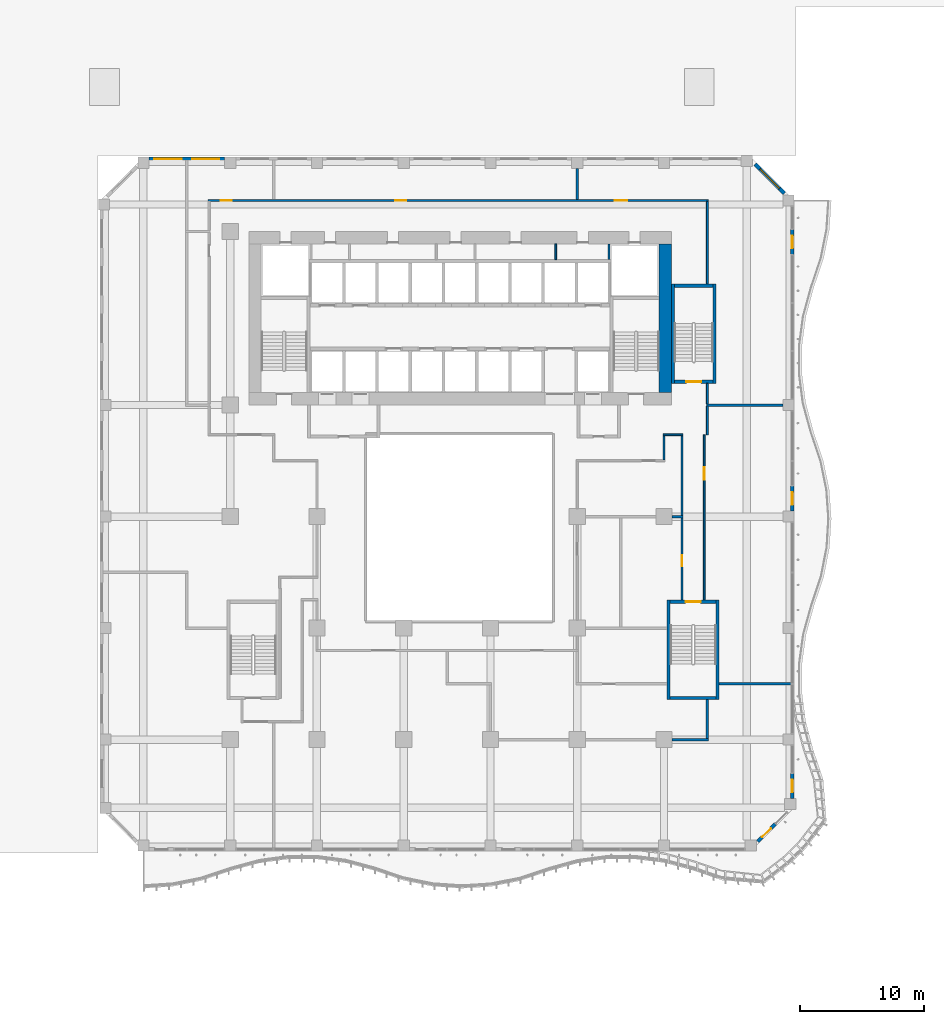
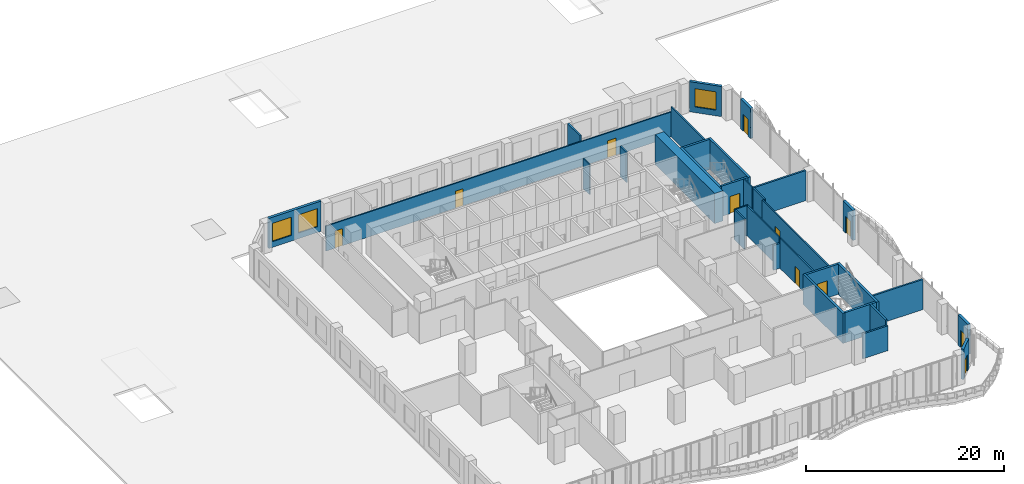
# One storey, part 19 of 29: 32 walls, 11 doors, 3 windows, 14 openings.
"""IFC4 building model written with IfcOpenShell, lengths in metres."""

from ifc_helpers import new_model, si_unit, direction, frame, frame_2d, origin, place, context, subcontext, project, spatial, rectangle, extrude, source, transform, mapped, material, layer, layer_set, type_object, element, fill, save


model = new_model("IFC4")

# Units and contexts
model_context = context("Model", 3, precision=1e-05, world=origin(), true_north=direction((0.0, 1.0)))
body_context = subcontext(model_context, "Body", "Model", "MODEL_VIEW")
ifc_project = project(units=[si_unit("LENGTHUNIT", "METRE"), si_unit("AREAUNIT", "SQUARE_METRE"), si_unit("VOLUMEUNIT", "CUBIC_METRE"), si_unit("PLANEANGLEUNIT", "RADIAN"), si_unit("MASSUNIT", "GRAM", prefix="KILO")], contexts=[model_context])

# Site, building, storey
site_placement = place(None, origin())
site = spatial("IfcSite", under=ifc_project, at=site_placement, CompositionType="ELEMENT")
building_placement = place(site_placement, origin())
building = spatial("IfcBuilding", under=site, at=building_placement, Name="Kilnfold Tower and Market Hall", CompositionType="ELEMENT")
storey_placement = place(building_placement, frame((0.0, 0.0, 27.0)))
storey = spatial("IfcBuildingStorey", under=building, at=storey_placement, Name="L05", CompositionType="ELEMENT", Elevation=27.0)

# Wall, opening, door
ifc_material_1 = material(Name="Gypsum board on steel studs", Category="steel")
ifc_layer_1 = layer(ifc_material_1, 0.14990234375)
ifc_layer_set_1 = layer_set([ifc_layer_1], Name="Gypsum board on steel studs")
wall_type_1 = type_object("IfcWallType", Name="WALL CORRIDOR 150", PredefinedType="PARTITIONING", material=ifc_layer_set_1)
wall_1_placement = place(storey_placement, frame((18.949951171875, -7.75, 0.0), z_axis=(0.0, 0.0, 1.0), x_axis=(0.0, 1.0, 0.0)))
wall_1 = element("IfcWall", 1, at=wall_1_placement, inside=storey, type_object=wall_type_1, Name="Partition LY06.22", PredefinedType="PARTITIONING", context=body_context, shape_type="SweptSolid", body=[
    extrude(rectangle(XDim=6.659912109375, YDim=0.14990234375, at=frame_2d((3.330078125, 0.0))), origin(), (0.0, 0.0, 1.0), 3.719970703125),
])
opening_1_placement = place(wall_1_placement, frame((2.72802734375, 0.0, 0.0)))
opening_1 = element("IfcOpeningElement", 2, at=opening_1_placement, cuts=wall_1, Name="Opening D2", PredefinedType="OPENING", context=body_context, shape_type="SweptSolid", body=[
    extrude(rectangle(XDim=0.89990234375, YDim=2.10009765625, at=frame_2d((0.449951171875, 1.050048828125))), frame((0.0, 0.0849609375, 0.0), z_axis=(0.0, -1.0, 0.0), x_axis=(1.0, 0.0, 0.0)), (0.0, 0.0, 1.0), 0.169921875),
])
ifc_material_2 = material(Name="Timber veneer door leaf in steel frame", Category="steel")
door_type_1 = type_object("IfcDoorType", Name="DOOR ROOM 900 X2100", OperationType="NOTDEFINED", PredefinedType="DOOR", material=ifc_material_2)
door_1_placement = place(opening_1_placement, origin())
door_1 = element("IfcDoor", 3, at=door_1_placement, inside=storey, type_object=door_type_1, Name="Door D2", OperationType="SINGLE_SWING_LEFT", OverallHeight=2.10009765625, OverallWidth=0.89990234375, PredefinedType="DOOR", context=body_context, shape_type="SweptSolid", body=[
    extrude(rectangle(XDim=0.89990234375, YDim=2.10009765625, at=frame_2d((0.449951171875, 1.050048828125))), frame((0.0, 0.02490234375, 0.0), z_axis=(0.0, -1.0, 0.0), x_axis=(1.0, 0.0, 0.0)), (0.0, 0.0, 1.0), 0.050048828125),
])
fill(opening_1, door_1)

# Walls
wall_2_placement = place(storey_placement, frame((18.949951171875, -0.909912109375, 0.0), z_axis=(0.0, 0.0, 1.0), x_axis=(0.0, 1.0, 0.0)))
element("IfcWall", 4, at=wall_2_placement, inside=storey, type_object=wall_type_1, Name="Partition LY06.23", PredefinedType="PARTITIONING", context=body_context, shape_type="SweptSolid", body=[
    extrude(rectangle(XDim=6.434814453125, YDim=0.14990234375, at=frame_2d((3.21728515625, 0.0))), origin(), (0.0, 0.0, 1.0), 3.719970703125),
])
wall_3_placement = place(storey_placement, frame((17.425048828125, 5.60009765625, 0.0), z_axis=(0.0, 0.0, 1.0), x_axis=(1.0, 0.0, 0.0)))
element("IfcWall", 5, at=wall_3_placement, inside=storey, type_object=wall_type_1, Name="Partition LY06.24", PredefinedType="PARTITIONING", context=body_context, shape_type="SweptSolid", body=[
    extrude(rectangle(XDim=1.599853515625, YDim=0.14990234375, at=frame_2d((0.7998046875, 0.0))), origin(), (0.0, 0.0, 1.0), 3.719970703125),
])
wall_4_placement = place(storey_placement, frame((17.5, 3.574951171875, 0.0), z_axis=(0.0, 0.0, 1.0), x_axis=(0.0, 1.0, 0.0)))
element("IfcWall", 6, at=wall_4_placement, inside=storey, type_object=wall_type_1, Name="Partition LY06.25", PredefinedType="PARTITIONING", context=body_context, shape_type="SweptSolid", body=[
    extrude(rectangle(XDim=1.949951171875, YDim=0.14990234375, at=frame_2d((0.97509765625, 0.0))), origin(), (0.0, 0.0, 1.0), 3.719970703125),
])
wall_5_placement = place(storey_placement, frame((21.0, 5.60009765625, 0.0), z_axis=(0.0, 0.0, 1.0), x_axis=(0.0, 1.0, 0.0)))
element("IfcWall", 7, at=wall_5_placement, inside=storey, type_object=wall_type_1, Name="Partition LY06.28", PredefinedType="PARTITIONING", context=body_context, shape_type="SweptSolid", body=[
    extrude(rectangle(XDim=2.309814453125, YDim=0.14990234375, at=frame_2d((1.15478515625, 0.0))), origin(), (0.0, 0.0, 1.0), 3.719970703125),
])

# Wall, opening, door
wall_6_placement = place(storey_placement, frame((20.75, -7.75, 0.0), z_axis=(0.0, 0.0, 1.0), x_axis=(0.0, 1.0, 0.0)))
wall_6 = element("IfcWall", 8, at=wall_6_placement, inside=storey, type_object=wall_type_1, Name="Partition LY06.29", PredefinedType="PARTITIONING", context=body_context, shape_type="SweptSolid", body=[
    extrude(rectangle(XDim=13.35009765625, YDim=0.14990234375, at=frame_2d((6.675048828125, 0.0))), origin(), (0.0, 0.0, 1.0), 3.719970703125),
])
opening_2_placement = place(wall_6_placement, frame((9.739990234375, 0.0, 0.0)))
opening_2 = element("IfcOpeningElement", 9, at=opening_2_placement, cuts=wall_6, Name="Opening D1", PredefinedType="OPENING", context=body_context, shape_type="SweptSolid", body=[
    extrude(rectangle(XDim=1.0, YDim=2.10009765625, at=frame_2d((0.5, 1.050048828125))), frame((0.0, 0.0849609375, 0.0), z_axis=(0.0, -1.0, 0.0), x_axis=(1.0, 0.0, 0.0)), (0.0, 0.0, 1.0), 0.169921875),
])
ifc_material_3 = material(Name="Timber veneer door leaf in steel frame", Category="steel")
door_type_2 = type_object("IfcDoorType", Name="DOOR ENTRY 1000 X2100", OperationType="NOTDEFINED", PredefinedType="DOOR", material=ifc_material_3)
door_2_placement = place(opening_2_placement, origin())
door_2 = element("IfcDoor", 10, at=door_2_placement, inside=storey, type_object=door_type_2, Name="Door D1", OperationType="SINGLE_SWING_RIGHT", OverallHeight=2.10009765625, OverallWidth=1.0, PredefinedType="DOOR", context=body_context, shape_type="SweptSolid", body=[
    extrude(rectangle(XDim=1.0, YDim=2.10009765625, at=frame_2d((0.5, 1.050048828125))), frame((0.0, 0.02490234375, 0.0), z_axis=(0.0, -1.0, 0.0), x_axis=(1.0, 0.0, 0.0)), (0.0, 0.0, 1.0), 0.050048828125),
])
fill(opening_2, door_2)

# Walls
wall_7_placement = place(storey_placement, frame((21.0, 17.75, 0.0), z_axis=(0.0, 0.0, 1.0), x_axis=(0.0, 1.0, 0.0)))
element("IfcWall", 11, at=wall_7_placement, inside=storey, type_object=wall_type_1, Name="Partition LY06.30", PredefinedType="PARTITIONING", context=body_context, shape_type="SweptSolid", body=[
    extrude(rectangle(XDim=6.675048828125, YDim=0.14990234375, at=frame_2d((3.33740234375, 0.0))), origin(), (0.0, 0.0, 1.0), 3.719970703125),
])
wall_8_placement = place(storey_placement, frame((21.0, 8.090087890625, 0.0), z_axis=(0.0, 0.0, 1.0), x_axis=(0.0, 1.0, 0.0)))
element("IfcWall", 12, at=wall_8_placement, inside=storey, type_object=wall_type_1, Name="Partition LY06.31", PredefinedType="PARTITIONING", context=body_context, shape_type="SweptSolid", body=[
    extrude(rectangle(XDim=1.659912109375, YDim=0.14990234375, at=frame_2d((0.830078125, 0.0))), origin(), (0.0, 0.0, 1.0), 3.719970703125),
])

# Wall, openings, doors
wall_9_placement = place(storey_placement, frame((-19.27490234375, 24.5, 0.0), z_axis=(0.0, 0.0, 1.0), x_axis=(1.0, 0.0, 0.0)))
wall_9 = element("IfcWall", 13, at=wall_9_placement, inside=storey, type_object=wall_type_1, Name="Partition LY06.33", PredefinedType="PARTITIONING", context=body_context, shape_type="SweptSolid", body=[
    extrude(rectangle(XDim=40.349853515625, YDim=0.14990234375, at=frame_2d((20.1748046875, 0.0))), origin(), (0.0, 0.0, 1.0), 3.070068359375),
])
opening_3_placement = place(wall_9_placement, frame((1.01708984375, 0.0, 0.0)))
opening_3 = element("IfcOpeningElement", 14, at=opening_3_placement, cuts=wall_9, Name="Opening D3", PredefinedType="OPENING", context=body_context, shape_type="SweptSolid", body=[
    extrude(rectangle(XDim=0.89990234375, YDim=2.10009765625, at=frame_2d((0.449951171875, 1.050048828125))), frame((0.0, 0.0849609375, 0.0), z_axis=(0.0, -1.0, 0.0), x_axis=(1.0, 0.0, 0.0)), (0.0, 0.0, 1.0), 0.169921875),
])
opening_4_placement = place(wall_9_placement, frame((15.072998046875, 0.0, 0.0)))
opening_4 = element("IfcOpeningElement", 15, at=opening_4_placement, cuts=wall_9, Name="Opening D2", PredefinedType="OPENING", context=body_context, shape_type="SweptSolid", body=[
    extrude(rectangle(XDim=0.89990234375, YDim=2.10009765625, at=frame_2d((0.449951171875, 1.050048828125))), frame((0.0, 0.0849609375, 0.0), z_axis=(0.0, -1.0, 0.0), x_axis=(1.0, 0.0, 0.0)), (0.0, 0.0, 1.0), 0.169921875),
])
opening_5_placement = place(wall_9_placement, frame((32.791015625, 0.0, 0.0)))
opening_5 = element("IfcOpeningElement", 16, at=opening_5_placement, cuts=wall_9, Name="Opening D1", PredefinedType="OPENING", context=body_context, shape_type="SweptSolid", body=[
    extrude(rectangle(XDim=1.0, YDim=2.10009765625, at=frame_2d((0.5, 1.050048828125))), frame((0.0, 0.0849609375, 0.0), z_axis=(0.0, -1.0, 0.0), x_axis=(1.0, 0.0, 0.0)), (0.0, 0.0, 1.0), 0.169921875),
])
door_3_placement = place(opening_5_placement, origin())
door_3 = element("IfcDoor", 17, at=door_3_placement, inside=storey, type_object=door_type_2, Name="Door D1", OperationType="SINGLE_SWING_RIGHT", OverallHeight=2.10009765625, OverallWidth=1.0, PredefinedType="DOOR", context=body_context, shape_type="SweptSolid", body=[
    extrude(rectangle(XDim=1.0, YDim=2.10009765625, at=frame_2d((0.5, 1.050048828125))), frame((0.0, 0.02490234375, 0.0), z_axis=(0.0, -1.0, 0.0), x_axis=(1.0, 0.0, 0.0)), (0.0, 0.0, 1.0), 0.050048828125),
])
fill(opening_5, door_3)
door_4_placement = place(opening_4_placement, origin())
door_4 = element("IfcDoor", 18, at=door_4_placement, inside=storey, type_object=door_type_1, Name="Door D2", OperationType="SINGLE_SWING_LEFT", OverallHeight=2.10009765625, OverallWidth=0.89990234375, PredefinedType="DOOR", context=body_context, shape_type="SweptSolid", body=[
    extrude(rectangle(XDim=0.89990234375, YDim=2.10009765625, at=frame_2d((0.449951171875, 1.050048828125))), frame((0.0, 0.02490234375, 0.0), z_axis=(0.0, -1.0, 0.0), x_axis=(1.0, 0.0, 0.0)), (0.0, 0.0, 1.0), 0.050048828125),
])
fill(opening_4, door_4)
ifc_material_4 = material(Name="Timber veneer door leaf in steel frame", Category="steel")
door_type_3 = type_object("IfcDoorType", Name="DOOR WC 900 X2100", OperationType="NOTDEFINED", PredefinedType="DOOR", material=ifc_material_4)
door_5_placement = place(opening_3_placement, origin())
door_5 = element("IfcDoor", 19, at=door_5_placement, inside=storey, type_object=door_type_3, Name="Door D3", OperationType="SINGLE_SWING_RIGHT", OverallHeight=2.10009765625, OverallWidth=0.89990234375, PredefinedType="DOOR", context=body_context, shape_type="SweptSolid", body=[
    extrude(rectangle(XDim=0.89990234375, YDim=2.10009765625, at=frame_2d((0.449951171875, 1.050048828125))), frame((0.0, 0.02490234375, 0.0), z_axis=(0.0, -1.0, 0.0), x_axis=(1.0, 0.0, 0.0)), (0.0, 0.0, 1.0), 0.050048828125),
])
fill(opening_3, door_5)

# Walls
ifc_material_5 = material(Name="Gypsum board on steel studs", Category="steel")
ifc_layer_2 = layer(ifc_material_5, 0.199951171875)
ifc_layer_set_2 = layer_set([ifc_layer_2], Name="Gypsum board on steel studs")
wall_type_2 = type_object("IfcWallType", Name="WALL PARTY 200", PredefinedType="PARTITIONING", material=ifc_layer_set_2)
wall_10_placement = place(storey_placement, frame((18.14990234375, -19.0, 0.0), z_axis=(0.0, 0.0, 1.0), x_axis=(1.0, 0.0, 0.0)))
element("IfcWall", 20, at=wall_10_placement, inside=storey, type_object=wall_type_2, Name="Partition LY06.47", PredefinedType="PARTITIONING", context=body_context, shape_type="SweptSolid", body=[
    extrude(rectangle(XDim=2.9501953125, YDim=0.199951171875, at=frame_2d((1.47509765625, 0.0))), origin(), (0.0, 0.0, 1.0), 3.070068359375),
])
wall_11_placement = place(storey_placement, frame((21.0, -15.75, 0.0), z_axis=(0.0, 0.0, 1.0), x_axis=(0.0, -1.0, 0.0)))
element("IfcWall", 21, at=wall_11_placement, inside=storey, type_object=wall_type_2, Name="Partition LY06.48", PredefinedType="PARTITIONING", context=body_context, shape_type="SweptSolid", body=[
    extrude(rectangle(XDim=3.14990234375, YDim=0.199951171875, at=frame_2d((1.574951171875, 0.0))), origin(), (0.0, 0.0, 1.0), 3.719970703125),
])
wall_12_placement = place(storey_placement, frame((21.949951171875, -14.5, 0.0), z_axis=(0.0, 0.0, 1.0), x_axis=(1.0, 0.0, 0.0)))
element("IfcWall", 22, at=wall_12_placement, inside=storey, type_object=wall_type_2, Name="Partition LY06.49", PredefinedType="PARTITIONING", context=body_context, shape_type="SweptSolid", body=[
    extrude(rectangle(XDim=5.800048828125, YDim=0.199951171875, at=frame_2d((2.89990234375, 0.0))), origin(), (0.0, 0.0, 1.0), 3.719970703125),
])
wall_13_placement = place(storey_placement, frame((18.14990234375, -1.0, 0.0), z_axis=(0.0, 0.0, 1.0), x_axis=(1.0, 0.0, 0.0)))
element("IfcWall", 23, at=wall_13_placement, inside=storey, type_object=wall_type_2, Name="Partition LY06.55", PredefinedType="PARTITIONING", context=body_context, shape_type="SweptSolid", body=[
    extrude(rectangle(XDim=0.8740234375, YDim=0.199951171875, at=frame_2d((0.43701171875, 0.0))), origin(), (0.0, 0.0, 1.0), 3.070068359375),
])
wall_14_placement = place(storey_placement, frame((20.926025390625, 8.0, 0.0), z_axis=(0.0, 0.0, 1.0), x_axis=(1.0, 0.0, 0.0)))
element("IfcWall", 24, at=wall_14_placement, inside=storey, type_object=wall_type_2, Name="Partition LY06.56", PredefinedType="PARTITIONING", context=body_context, shape_type="SweptSolid", body=[
    extrude(rectangle(XDim=6.174072265625, YDim=0.199951171875, at=frame_2d((3.0869140625, 0.0))), origin(), (0.0, 0.0, 1.0), 3.719970703125),
])
wall_15_placement = place(storey_placement, frame((10.5, 24.575927734375, 0.0), z_axis=(0.0, 0.0, 1.0), x_axis=(0.0, 1.0, 0.0)))
element("IfcWall", 25, at=wall_15_placement, inside=storey, type_object=wall_type_2, Name="Partition LY06.57", PredefinedType="PARTITIONING", context=body_context, shape_type="SweptSolid", body=[
    extrude(rectangle(XDim=2.524169921875, YDim=0.199951171875, at=frame_2d((1.26220703125, 0.0))), origin(), (0.0, 0.0, 1.0), 3.719970703125),
])
ifc_material_6 = material(Name="Concrete C80", Category="concrete")
ifc_layer_3 = layer(ifc_material_6, 1.0)
ifc_layer_set_3 = layer_set([ifc_layer_3], Name="Concrete C80")
wall_type_3 = type_object("IfcWallType", Name="CORE WALL 1000 C80", PredefinedType="SHEAR", material=ifc_layer_set_3)
shared_shape_1 = source(origin(), body_context, "Body", "SweptSolid", [
    extrude(rectangle(XDim=12.0, YDim=1.0, at=frame_2d((6.0, 0.0))), origin(), (0.0, 0.0, 1.0), 3.719970703125),
])
wall_16_placement = place(storey_placement, frame((17.60009765625, 9.0, 0.0), z_axis=(0.0, 0.0, 1.0), x_axis=(0.0, 1.0, 0.0)))
element("IfcWall", 26, at=wall_16_placement, inside=storey, type_object=wall_type_3, Name="Core outer wall east", PredefinedType="SHEAR", context=body_context, shape_type="MappedRepresentation", body=[
    mapped(shared_shape_1, transform((0.0, 0.0, 0.0))),
])
ifc_material_7 = material(Name="Concrete C80", Category="concrete")
ifc_layer_4 = layer(ifc_material_7, 0.25)
ifc_layer_set_4 = layer_set([ifc_layer_4], Name="Concrete C80")
wall_type_4 = type_object("IfcWallType", Name="CORE WALL 250 C80", PredefinedType="SHEAR", material=ifc_layer_set_4)
shared_shape_2 = source(origin(), body_context, "Body", "SweptSolid", [
    extrude(rectangle(XDim=3.699951171875, YDim=0.25, at=frame_2d((1.85009765625, 0.0))), origin(), (0.0, 0.0, 1.0), 3.719970703125),
])
wall_17_placement = place(storey_placement, frame((18.0, -15.625, 0.0), z_axis=(0.0, 0.0, 1.0), x_axis=(1.0, 0.0, 0.0)))
element("IfcWall", 27, at=wall_17_placement, inside=storey, type_object=wall_type_4, Name="Stair enclosure ST4", PredefinedType="SHEAR", context=body_context, shape_type="MappedRepresentation", body=[
    mapped(shared_shape_2, transform((0.0, 0.0, 0.0))),
])

# Wall, opening, door
wall_18_placement = place(storey_placement, frame((18.0, -7.875, 0.0), z_axis=(0.0, 0.0, 1.0), x_axis=(1.0, 0.0, 0.0)))
wall_18 = element("IfcWall", 28, at=wall_18_placement, inside=storey, type_object=wall_type_4, Name="Stair enclosure ST4", PredefinedType="SHEAR", context=body_context, shape_type="MappedRepresentation", body=[
    mapped(shared_shape_2, transform((0.0, 0.0, 0.0))),
])
opening_6_placement = place(wall_18_placement, frame((1.25, 0.0, 0.0)))
opening_6 = element("IfcOpeningElement", 29, at=opening_6_placement, cuts=wall_18, Name="Opening SD1", PredefinedType="OPENING", context=body_context, shape_type="SweptSolid", body=[
    extrude(rectangle(XDim=1.199951171875, YDim=2.10009765625, at=frame_2d((0.60009765625, 1.050048828125))), frame((0.0, 0.135009765625, 0.0), z_axis=(0.0, -1.0, 0.0), x_axis=(1.0, 0.0, 0.0)), (0.0, 0.0, 1.0), 0.27001953125),
])
ifc_material_8 = material(Name="Steel door set with fire-resisting leaf", Category="steel")
door_type_4 = type_object("IfcDoorType", Name="STAIR FLOOR DOOR 1200X2100", OperationType="NOTDEFINED", PredefinedType="DOOR", material=ifc_material_8)
door_6_placement = place(opening_6_placement, origin())
door_6 = element("IfcDoor", 30, at=door_6_placement, inside=storey, type_object=door_type_4, Name="Exit stair ST4 door", OperationType="DOUBLE_DOOR_SINGLE_SWING", OverallHeight=2.10009765625, OverallWidth=1.199951171875, PredefinedType="DOOR", context=body_context, shape_type="SweptSolid", body=[
    extrude(rectangle(XDim=1.199951171875, YDim=2.10009765625, at=frame_2d((0.60009765625, 1.050048828125))), frame((0.0, 0.02490234375, 0.0), z_axis=(0.0, -1.0, 0.0), x_axis=(1.0, 0.0, 0.0)), (0.0, 0.0, 1.0), 0.050048828125),
])
fill(opening_6, door_6)

# Walls
shared_shape_3 = source(origin(), body_context, "Body", "SweptSolid", [
    extrude(rectangle(XDim=8.0, YDim=0.25, at=frame_2d((4.0, 0.0))), origin(), (0.0, 0.0, 1.0), 3.719970703125),
])
for number, where, z_axis, x_axis, name in (
    (31, (17.875, -15.75, 0.0), (0.0, 0.0, 1.0), (0.0, 1.0, 0.0), "Stair enclosure ST4"),
    (32, (21.824951171875, -15.75, 0.0), (0.0, 0.0, 1.0), (0.0, 1.0, 0.0), "Stair enclosure ST4"),
    (33, (18.22509765625, 9.75, 0.0), (0.0, 0.0, 1.0), (0.0, 1.0, 0.0), "Stair enclosure ST5"),
    (34, (21.574951171875, 9.75, 0.0), (0.0, 0.0, 1.0), (0.0, 1.0, 0.0), "Stair enclosure ST5"),
):
    element("IfcWall", number, at=place(storey_placement, frame(where, z_axis=z_axis, x_axis=x_axis)), inside=storey, type_object=wall_type_4, Name=name, PredefinedType="SHEAR", context=body_context, shape_type="MappedRepresentation", body=[
        mapped(shared_shape_3, transform((0.0, 0.0, 0.0))),
    ])

# Wall, opening, door
shared_shape_4 = source(origin(), body_context, "Body", "SweptSolid", [
    extrude(rectangle(XDim=3.099853515625, YDim=0.25, at=frame_2d((1.5498046875, 0.0))), origin(), (0.0, 0.0, 1.0), 3.719970703125),
])
wall_19_placement = place(storey_placement, frame((18.35009765625, 9.875, 0.0), z_axis=(0.0, 0.0, 1.0), x_axis=(1.0, 0.0, 0.0)))
wall_19 = element("IfcWall", 35, at=wall_19_placement, inside=storey, type_object=wall_type_4, Name="Stair enclosure ST5", PredefinedType="SHEAR", context=body_context, shape_type="MappedRepresentation", body=[
    mapped(shared_shape_4, transform((0.0, 0.0, 0.0))),
])
opening_7_placement = place(wall_19_placement, frame((0.949951171875, 0.0, 0.0)))
opening_7 = element("IfcOpeningElement", 36, at=opening_7_placement, cuts=wall_19, Name="Opening SD1", PredefinedType="OPENING", context=body_context, shape_type="SweptSolid", body=[
    extrude(rectangle(XDim=1.199951171875, YDim=2.10009765625, at=frame_2d((0.60009765625, 1.050048828125))), frame((0.0, 0.135009765625, 0.0), z_axis=(0.0, -1.0, 0.0), x_axis=(1.0, 0.0, 0.0)), (0.0, 0.0, 1.0), 0.27001953125),
])
door_7_placement = place(opening_7_placement, origin())
door_7 = element("IfcDoor", 37, at=door_7_placement, inside=storey, type_object=door_type_4, Name="Exit stair ST5 door", OperationType="DOUBLE_DOOR_SINGLE_SWING", OverallHeight=2.10009765625, OverallWidth=1.199951171875, PredefinedType="DOOR", context=body_context, shape_type="SweptSolid", body=[
    extrude(rectangle(XDim=1.199951171875, YDim=2.10009765625, at=frame_2d((0.60009765625, 1.050048828125))), frame((0.0, 0.02490234375, 0.0), z_axis=(0.0, -1.0, 0.0), x_axis=(1.0, 0.0, 0.0)), (0.0, 0.0, 1.0), 0.050048828125),
])
fill(opening_7, door_7)

# Wall
wall_20_placement = place(storey_placement, frame((18.35009765625, 17.625, 0.0), z_axis=(0.0, 0.0, 1.0), x_axis=(1.0, 0.0, 0.0)))
element("IfcWall", 38, at=wall_20_placement, inside=storey, type_object=wall_type_4, Name="Stair enclosure ST5", PredefinedType="SHEAR", context=body_context, shape_type="MappedRepresentation", body=[
    mapped(shared_shape_4, transform((0.0, 0.0, 0.0))),
])

# Wall, opening, door
ifc_material_9 = material(Name="Precast concrete C50/60", Category="concrete")
ifc_layer_5 = layer(ifc_material_9, 0.300048828125)
ifc_layer_set_5 = layer_set([ifc_layer_5], Name="Precast concrete C50/60")
wall_type_5 = type_object("IfcWallType", Name="PRECAST WALL 300", PredefinedType="SOLIDWALL", material=ifc_layer_set_5)
shared_shape_5 = source(origin(), body_context, "Body", "SweptSolid", [
    extrude(rectangle(XDim=2.0, YDim=0.300048828125, at=frame_2d((1.0, 0.0))), origin(), (0.0, 0.0, 1.0), 3.719970703125),
])
wall_21_placement = place(storey_placement, frame((27.85009765625, -23.731689453125, 0.0), z_axis=(0.0, 0.0, 1.0), x_axis=(0.0, 1.0, 0.0)))
wall_21 = element("IfcWall", 39, at=wall_21_placement, inside=storey, type_object=wall_type_5, Name="External wall L05 E", PredefinedType="SOLIDWALL", context=body_context, shape_type="MappedRepresentation", body=[
    mapped(shared_shape_5, transform((0.0, 0.0, 0.0))),
])
opening_8_placement = place(wall_21_placement, frame((0.5, 0.0, 0.0)))
opening_8 = element("IfcOpeningElement", 40, at=opening_8_placement, cuts=wall_21, Name="Opening BD1", PredefinedType="OPENING", context=body_context, shape_type="SweptSolid", body=[
    extrude(rectangle(XDim=1.0, YDim=2.10009765625, at=frame_2d((0.5, 1.050048828125))), frame((0.0, 0.16015625, 0.0), z_axis=(0.0, -1.0, 0.0), x_axis=(1.0, 0.0, 0.0)), (0.0, 0.0, 1.0), 0.320068359375),
])
ifc_material_10 = material(Name="Aluminium frame and double glazing", Category="aluminium")
door_type_5 = type_object("IfcDoorType", Name="BALCONY DOOR 1000X2100", OperationType="NOTDEFINED", PredefinedType="DOOR", material=ifc_material_10)
door_8_placement = place(opening_8_placement, origin())
door_8 = element("IfcDoor", 41, at=door_8_placement, inside=storey, type_object=door_type_5, Name="Balcony door BD1 L05 E-1", OperationType="SINGLE_SWING_LEFT", OverallHeight=2.10009765625, OverallWidth=1.0, PredefinedType="DOOR", context=body_context, shape_type="SweptSolid", body=[
    extrude(rectangle(XDim=1.0, YDim=2.10009765625, at=frame_2d((0.5, 1.050048828125))), frame((0.0, 0.02490234375, 0.0), z_axis=(0.0, -1.0, 0.0), x_axis=(1.0, 0.0, 0.0)), (0.0, 0.0, 1.0), 0.050048828125),
])
fill(opening_8, door_8)

wall_22_placement = place(storey_placement, frame((27.85009765625, -0.550048828125, 0.0), z_axis=(0.0, 0.0, 1.0), x_axis=(0.0, 1.0, 0.0)))
wall_22 = element("IfcWall", 42, at=wall_22_placement, inside=storey, type_object=wall_type_5, Name="External wall L05 E", PredefinedType="SOLIDWALL", context=body_context, shape_type="MappedRepresentation", body=[
    mapped(shared_shape_5, transform((0.0, 0.0, 0.0))),
])
opening_9_placement = place(wall_22_placement, frame((0.5, 0.0, 0.0)))
opening_9 = element("IfcOpeningElement", 43, at=opening_9_placement, cuts=wall_22, Name="Opening BD1", PredefinedType="OPENING", context=body_context, shape_type="SweptSolid", body=[
    extrude(rectangle(XDim=1.0, YDim=2.10009765625, at=frame_2d((0.5, 1.050048828125))), frame((0.0, 0.16015625, 0.0), z_axis=(0.0, -1.0, 0.0), x_axis=(1.0, 0.0, 0.0)), (0.0, 0.0, 1.0), 0.320068359375),
])
door_9_placement = place(opening_9_placement, origin())
door_9 = element("IfcDoor", 44, at=door_9_placement, inside=storey, type_object=door_type_5, Name="Balcony door BD1 L05 E-1", OperationType="SINGLE_SWING_LEFT", OverallHeight=2.10009765625, OverallWidth=1.0, PredefinedType="DOOR", context=body_context, shape_type="SweptSolid", body=[
    extrude(rectangle(XDim=1.0, YDim=2.10009765625, at=frame_2d((0.5, 1.050048828125))), frame((0.0, 0.02490234375, 0.0), z_axis=(0.0, -1.0, 0.0), x_axis=(1.0, 0.0, 0.0)), (0.0, 0.0, 1.0), 0.050048828125),
])
fill(opening_9, door_9)

wall_23_placement = place(storey_placement, frame((27.85009765625, 20.14990234375, 0.0), z_axis=(0.0, 0.0, 1.0), x_axis=(0.0, 1.0, 0.0)))
wall_23 = element("IfcWall", 45, at=wall_23_placement, inside=storey, type_object=wall_type_5, Name="External wall L05 E", PredefinedType="SOLIDWALL", context=body_context, shape_type="MappedRepresentation", body=[
    mapped(shared_shape_5, transform((0.0, 0.0, 0.0))),
])
opening_10_placement = place(wall_23_placement, frame((0.5, 0.0, 0.0)))
opening_10 = element("IfcOpeningElement", 46, at=opening_10_placement, cuts=wall_23, Name="Opening BD1", PredefinedType="OPENING", context=body_context, shape_type="SweptSolid", body=[
    extrude(rectangle(XDim=1.0, YDim=2.10009765625, at=frame_2d((0.5, 1.050048828125))), frame((0.0, 0.16015625, 0.0), z_axis=(0.0, -1.0, 0.0), x_axis=(1.0, 0.0, 0.0)), (0.0, 0.0, 1.0), 0.320068359375),
])
door_10_placement = place(opening_10_placement, origin())
door_10 = element("IfcDoor", 47, at=door_10_placement, inside=storey, type_object=door_type_5, Name="Balcony door BD1 L05 E-4", OperationType="SINGLE_SWING_RIGHT", OverallHeight=2.10009765625, OverallWidth=1.0, PredefinedType="DOOR", context=body_context, shape_type="SweptSolid", body=[
    extrude(rectangle(XDim=1.0, YDim=2.10009765625, at=frame_2d((0.5, 1.050048828125))), frame((0.0, 0.02490234375, 0.0), z_axis=(0.0, -1.0, 0.0), x_axis=(1.0, 0.0, 0.0)), (0.0, 0.0, 1.0), 0.050048828125),
])
fill(opening_10, door_10)

shared_shape_6 = source(origin(), body_context, "Body", "SweptSolid", [
    extrude(rectangle(XDim=2.000244140625, YDim=0.300048828125, at=frame_2d((1.0, 0.0))), origin(), (0.0, 0.0, 1.0), 3.719970703125),
])
wall_24_placement = place(storey_placement, frame((25.06884765625, -27.218994140625, 0.0), z_axis=(0.0, 0.0, 1.0), x_axis=(0.707106781187, 0.707106781187, 0.0)))
wall_24 = element("IfcWall", 48, at=wall_24_placement, inside=storey, type_object=wall_type_5, Name="External wall L05 SE", PredefinedType="SOLIDWALL", context=body_context, shape_type="MappedRepresentation", body=[
    mapped(shared_shape_6, transform((0.0, 0.0, 0.0))),
])
opening_11_placement = place(wall_24_placement, frame((0.5, 0.0, 0.0)))
opening_11 = element("IfcOpeningElement", 49, at=opening_11_placement, cuts=wall_24, Name="Opening BD1", PredefinedType="OPENING", context=body_context, shape_type="SweptSolid", body=[
    extrude(rectangle(XDim=1.0, YDim=2.10009765625, at=frame_2d((0.5, 1.050048828125))), frame((0.0, 0.16015625, 0.0), z_axis=(0.0, -1.0, 0.0), x_axis=(1.0, 0.0, 0.0)), (0.0, 0.0, 1.0), 0.320068359375),
])
door_11_placement = place(opening_11_placement, origin())
door_11 = element("IfcDoor", 50, at=door_11_placement, inside=storey, type_object=door_type_5, Name="Balcony door BD1 L05 SE-1", OperationType="SINGLE_SWING_LEFT", OverallHeight=2.10009765625, OverallWidth=1.0, PredefinedType="DOOR", context=body_context, shape_type="SweptSolid", body=[
    extrude(rectangle(XDim=1.0, YDim=2.10009765625, at=frame_2d((0.5, 1.050048828125))), frame((0.0, 0.02490234375, 0.0), z_axis=(0.0, -1.0, 0.0), x_axis=(1.0, 0.0, 0.0)), (0.0, 0.0, 1.0), 0.050048828125),
])
fill(opening_11, door_11)

# Wall, opening, window
shared_shape_7 = source(origin(), body_context, "Body", "SweptSolid", [
    extrude(rectangle(XDim=3.35888671875, YDim=0.300048828125, at=frame_2d((1.679443359375, 0.0))), origin(), (0.0, 0.0, 1.0), 3.719970703125),
])
wall_25_placement = place(storey_placement, frame((27.218994140625, 25.06884765625, 0.0), z_axis=(0.0, 0.0, 1.0), x_axis=(-0.707070438228, 0.707143122278, 0.0)))
wall_25 = element("IfcWall", 51, at=wall_25_placement, inside=storey, type_object=wall_type_5, Name="External wall L05 NE", PredefinedType="SOLIDWALL", context=body_context, shape_type="MappedRepresentation", body=[
    mapped(shared_shape_7, transform((0.0, 0.0, 0.0))),
])
opening_12_placement = place(wall_25_placement, frame((0.579345703125, 0.0, 0.699951171875)))
opening_12 = element("IfcOpeningElement", 52, at=opening_12_placement, cuts=wall_25, Name="Opening W1", PredefinedType="OPENING", context=body_context, shape_type="SweptSolid", body=[
    extrude(rectangle(XDim=2.199951171875, YDim=2.25, at=frame_2d((1.10009765625, 1.125))), frame((0.0, 0.16015625, 0.0), z_axis=(0.0, -1.0, 0.0), x_axis=(1.0, 0.0, 0.0)), (0.0, 0.0, 1.0), 0.320068359375),
])
ifc_material_11 = material(Name="Aluminium frame and double glazing", Category="aluminium")
window_type = type_object("IfcWindowType", Name="WINDOW W1 2200X2250", PartitioningType="SINGLE_PANEL", PredefinedType="WINDOW", material=ifc_material_11)
window_1_placement = place(opening_12_placement, origin())
window_1 = element("IfcWindow", 53, at=window_1_placement, inside=storey, type_object=window_type, Name="Window W1 L05 NE-1", OverallHeight=2.25, OverallWidth=2.199951171875, PartitioningType="SINGLE_PANEL", PredefinedType="WINDOW", context=body_context, shape_type="SweptSolid", body=[
    extrude(rectangle(XDim=2.199951171875, YDim=2.25, at=frame_2d((1.10009765625, 1.125))), frame((0.0, 0.030029296875, 0.0), z_axis=(0.0, -1.0, 0.0), x_axis=(1.0, 0.0, 0.0)), (0.0, 0.0, 1.0), 0.06005859375),
])
fill(opening_12, window_1)

# Wall, openings, windows
shared_shape_8 = source(origin(), body_context, "Body", "SweptSolid", [
    extrude(rectangle(XDim=6.10009765625, YDim=0.300048828125, at=frame_2d((3.050048828125, 0.0))), origin(), (0.0, 0.0, 1.0), 3.719970703125),
])
wall_26_placement = place(storey_placement, frame((-17.949951171875, 27.85009765625, 0.0), z_axis=(0.0, 0.0, 1.0), x_axis=(-1.0, 0.0, 0.0)))
wall_26 = element("IfcWall", 54, at=wall_26_placement, inside=storey, type_object=wall_type_5, Name="External wall L05 N", PredefinedType="SOLIDWALL", context=body_context, shape_type="MappedRepresentation", body=[
    mapped(shared_shape_8, transform((0.0, 0.0, 0.0))),
])
opening_13_placement = place(wall_26_placement, frame((0.425048828125, 0.0, 0.699951171875)))
opening_13 = element("IfcOpeningElement", 55, at=opening_13_placement, cuts=wall_26, Name="Opening W1", PredefinedType="OPENING", context=body_context, shape_type="SweptSolid", body=[
    extrude(rectangle(XDim=2.199951171875, YDim=2.25, at=frame_2d((1.10009765625, 1.125))), frame((0.0, 0.16015625, 0.0), z_axis=(0.0, -1.0, 0.0), x_axis=(1.0, 0.0, 0.0)), (0.0, 0.0, 1.0), 0.320068359375),
])
opening_14_placement = place(wall_26_placement, frame((3.47509765625, 0.0, 0.699951171875)))
opening_14 = element("IfcOpeningElement", 56, at=opening_14_placement, cuts=wall_26, Name="Opening W1", PredefinedType="OPENING", context=body_context, shape_type="SweptSolid", body=[
    extrude(rectangle(XDim=2.199951171875, YDim=2.25, at=frame_2d((1.10009765625, 1.125))), frame((0.0, 0.16015625, 0.0), z_axis=(0.0, -1.0, 0.0), x_axis=(1.0, 0.0, 0.0)), (0.0, 0.0, 1.0), 0.320068359375),
])
window_2_placement = place(opening_13_placement, origin())
window_2 = element("IfcWindow", 57, at=window_2_placement, inside=storey, type_object=window_type, Name="Window W1 L05 N-1", OverallHeight=2.25, OverallWidth=2.199951171875, PartitioningType="SINGLE_PANEL", PredefinedType="WINDOW", context=body_context, shape_type="SweptSolid", body=[
    extrude(rectangle(XDim=2.199951171875, YDim=2.25, at=frame_2d((1.10009765625, 1.125))), frame((0.0, 0.030029296875, 0.0), z_axis=(0.0, -1.0, 0.0), x_axis=(1.0, 0.0, 0.0)), (0.0, 0.0, 1.0), 0.06005859375),
])
fill(opening_13, window_2)
window_3_placement = place(opening_14_placement, origin())
window_3 = element("IfcWindow", 58, at=window_3_placement, inside=storey, type_object=window_type, Name="Window W1 L05 N-2", OverallHeight=2.25, OverallWidth=2.199951171875, PartitioningType="SINGLE_PANEL", PredefinedType="WINDOW", context=body_context, shape_type="SweptSolid", body=[
    extrude(rectangle(XDim=2.199951171875, YDim=2.25, at=frame_2d((1.10009765625, 1.125))), frame((0.0, 0.030029296875, 0.0), z_axis=(0.0, -1.0, 0.0), x_axis=(1.0, 0.0, 0.0)), (0.0, 0.0, 1.0), 0.06005859375),
])
fill(opening_14, window_3)

# Walls
ifc_material_12 = material(Name="Gypsum shaft wall system")
ifc_layer_6 = layer(ifc_material_12, 0.1650390625)
ifc_layer_set_6 = layer_set([ifc_layer_6], Name="Gypsum shaft wall system")
wall_type_6 = type_object("IfcWallType", Name="SHAFT WALL 165", PredefinedType="PARTITIONING", material=ifc_layer_set_6)
shared_shape_9 = source(origin(), body_context, "Body", "SweptSolid", [
    extrude(rectangle(XDim=1.27490234375, YDim=0.1650390625, at=frame_2d((0.637451171875, 0.0))), origin(), (0.0, 0.0, 1.0), 3.719970703125),
])
wall_27_placement = place(storey_placement, frame((13.0673828125, 19.72509765625, 0.0), z_axis=(0.0, 0.0, 1.0), x_axis=(0.0, 1.0, 0.0)))
element("IfcWall", 59, at=wall_27_placement, inside=storey, type_object=wall_type_6, Name="Lift shaft wall", PredefinedType="PARTITIONING", context=body_context, shape_type="MappedRepresentation", body=[
    mapped(shared_shape_9, transform((0.0, 0.0, 0.0))),
])
ifc_material_13 = material(Name="Gypsum shaft wall system")
ifc_layer_7 = layer(ifc_material_13, 0.14990234375)
ifc_layer_set_7 = layer_set([ifc_layer_7], Name="Gypsum shaft wall system")
wall_type_7 = type_object("IfcWallType", Name="ROOM WALL 150", PredefinedType="PARTITIONING", material=ifc_layer_set_7)
shared_shape_10 = source(origin(), body_context, "Body", "SweptSolid", [
    extrude(rectangle(XDim=1.27490234375, YDim=0.14990234375, at=frame_2d((0.637451171875, 0.0))), origin(), (0.0, 0.0, 1.0), 3.719970703125),
])
wall_28_placement = place(storey_placement, frame((8.768310546875, 19.72509765625, 0.0), z_axis=(0.0, 0.0, 1.0), x_axis=(0.0, 1.0, 0.0)))
element("IfcWall", 60, at=wall_28_placement, inside=storey, type_object=wall_type_7, Name="Core room wall", PredefinedType="PARTITIONING", context=body_context, shape_type="MappedRepresentation", body=[
    mapped(shared_shape_10, transform((0.0, 0.0, 0.0))),
])

save(model, "model.ifc")
